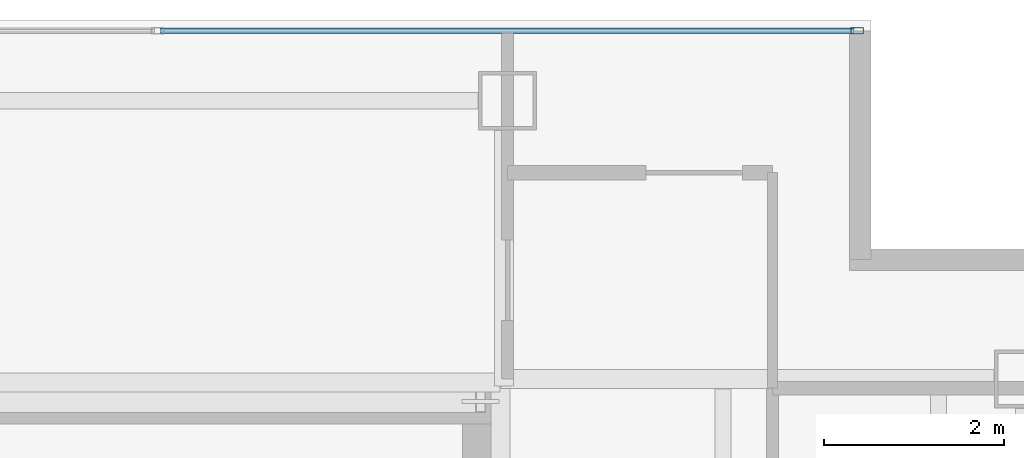
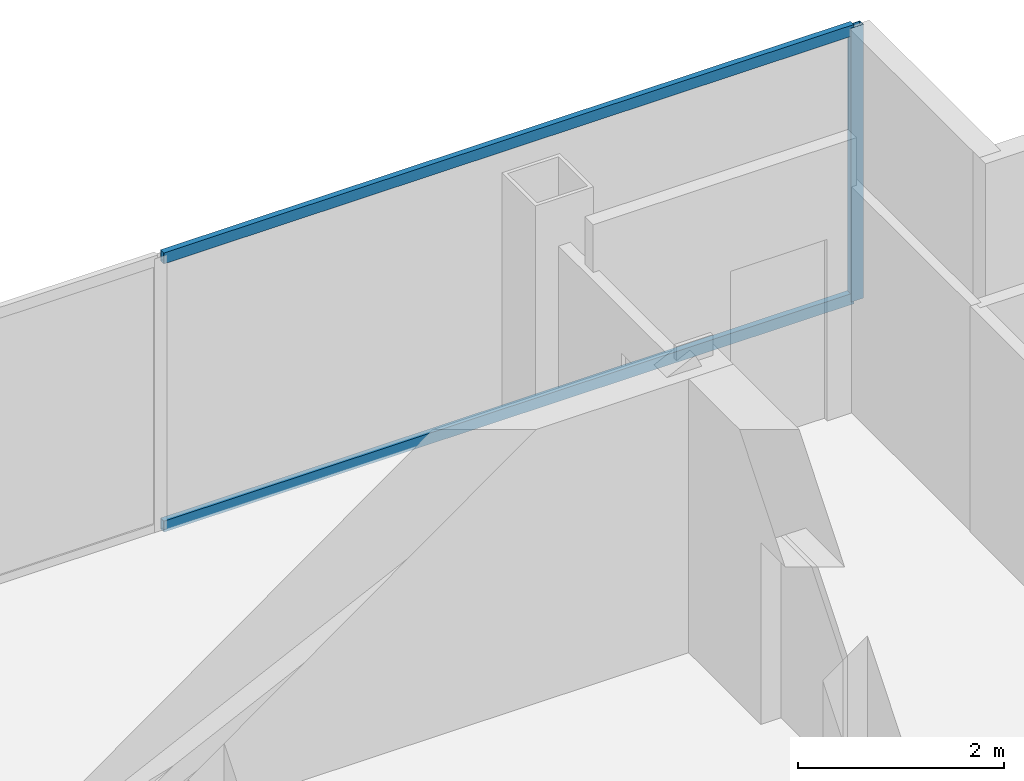
# One storey, part 18 of 23: 3 members, 1 element without a shape of its own.
"""IFC4 building model written with IfcOpenShell, lengths in metres."""

from ifc_helpers import new_model, si_unit, direction, frame, origin, origin_2d, place, context, subcontext, project, spatial, hollow_rectangle, extrude, material, material_profile, profile_set, type_object, element, aggregate, save


model = new_model("IFC4")

# Units and contexts
model_context = context("Model", 3, precision=1e-05, world=origin(), true_north=direction((0.0, 1.0)))
body_context = subcontext(model_context, "Body", "Model", "MODEL_VIEW")
ifc_project = project(units=[si_unit("LENGTHUNIT", "METRE"), si_unit("AREAUNIT", "SQUARE_METRE"), si_unit("VOLUMEUNIT", "CUBIC_METRE"), si_unit("PLANEANGLEUNIT", "RADIAN"), si_unit("MASSUNIT", "GRAM", prefix="KILO")], contexts=[model_context])

# Site, building, storey
site_placement = place(None, origin())
site = spatial("IfcSite", under=ifc_project, at=site_placement, CompositionType="ELEMENT")
building_placement = place(site_placement, origin())
building = spatial("IfcBuilding", under=site, at=building_placement, Name="Cobrela Telecom Tower", CompositionType="ELEMENT")
storey_placement = place(building_placement, frame((0.0, 0.0, 251.64990234375)))
storey = spatial("IfcBuildingStorey", under=building, at=storey_placement, Name="L65", CompositionType="ELEMENT", Elevation=251.64990234375)

# Curtain wall, members
ifc_material = material(Name="Anodized Bronze Aluminium 6063-T6", Category="aluminium")
curtain_wall_type = type_object("IfcCurtainWallType", Name="CW-SYS-OFF-HI", PredefinedType="USERDEFINED", material=ifc_material)
curtain_wall_placement = place(storey_placement, origin())
curtain_wall = element("IfcCurtainWall", 1, at=curtain_wall_placement, inside=storey, type_object=curtain_wall_type, Name="L65 Unitised Bronze Curtain Wall 05", ObjectType="UNITISED CURTAIN WALL", PredefinedType="USERDEFINED")
ifc_material_profile_1 = material_profile(ifc_material, hollow_rectangle(XDim=0.070068359375, YDim=0.139892578125, WallThickness=0.00390625, at=origin_2d()), Name="ALU 70x140x4")
ifc_profile_set_1 = profile_set([ifc_material_profile_1], Name="Anodized Bronze Aluminium 6063-T6")
member_type_1 = type_object("IfcMemberType", Name="CW-SYS-OFF-HI-MUL", PredefinedType="MULLION", material=ifc_profile_set_1)
member_1_placement = place(storey_placement, frame((18.294921875, 39.8798828125, 0.0), z_axis=(0.0, 0.0, 1.0), x_axis=(0.0, 1.0, 0.0)))
member_1 = element("IfcMember", 2, at=member_1_placement, type_object=member_type_1, Name="CW-OFF-HI mullion 3", PredefinedType="MULLION", context=body_context, shape_type="SweptSolid", body=[
    extrude(hollow_rectangle(XDim=0.070068359375, YDim=0.139892578125, WallThickness=0.00390625, at=origin_2d()), origin(), (0.0, 0.0, 1.0), 3.239990234375),
])
ifc_material_profile_2 = material_profile(ifc_material, hollow_rectangle(XDim=0.06494140625, YDim=0.1298828125, WallThickness=0.00390625, at=origin_2d()), Name="ALU 65x130x4")
ifc_profile_set_2 = profile_set([ifc_material_profile_2], Name="Anodized Bronze Aluminium 6063-T6")
member_type_2 = type_object("IfcMemberType", Name="CW-SYS-OFF-HI-TRN", PredefinedType="USERDEFINED", material=ifc_profile_set_2)
member_2_placement = place(storey_placement, frame((10.534912109375, 39.8798828125, 0.03271484375), z_axis=(1.0, 0.0, 0.0), x_axis=(0.0, 1.0, 0.0)))
member_2 = element("IfcMember", 3, at=member_2_placement, type_object=member_type_2, Name="CW-OFF-HI transom 2.1", ObjectType="TRANSOM", PredefinedType="USERDEFINED", context=body_context, shape_type="SweptSolid", body=[
    extrude(hollow_rectangle(XDim=0.06494140625, YDim=0.1298828125, WallThickness=0.00390625, at=origin_2d()), origin(), (0.0, 0.0, 1.0), 7.72509765625),
])
member_3_placement = place(storey_placement, frame((10.534912109375, 39.8798828125, 3.20751953125), z_axis=(1.0, 0.0, 0.0), x_axis=(0.0, 1.0, 0.0)))
member_3 = element("IfcMember", 4, at=member_3_placement, type_object=member_type_2, Name="CW-OFF-HI transom 2.2", ObjectType="TRANSOM", PredefinedType="USERDEFINED", context=body_context, shape_type="SweptSolid", body=[
    extrude(hollow_rectangle(XDim=0.06494140625, YDim=0.1298828125, WallThickness=0.00390625, at=origin_2d()), origin(), (0.0, 0.0, 1.0), 7.72509765625),
])
aggregate(curtain_wall, [member_1, member_2, member_3])

save(model, "model.ifc")
